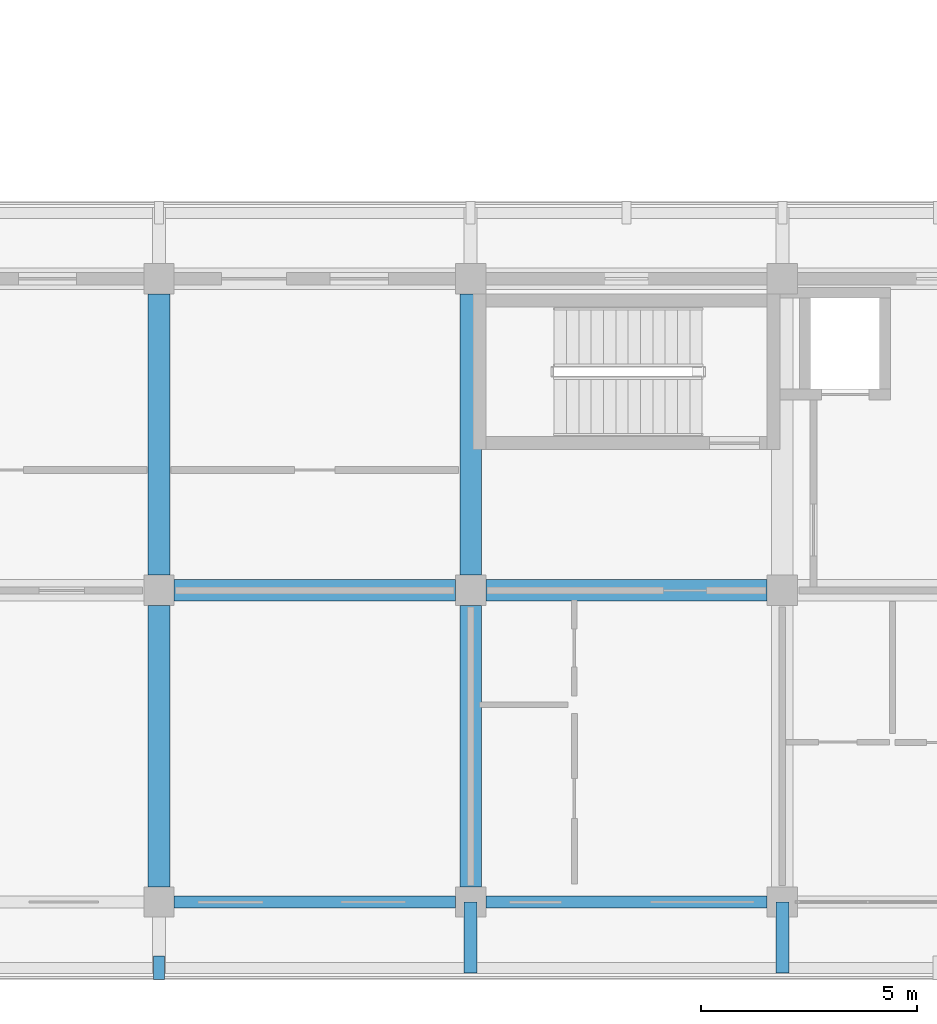
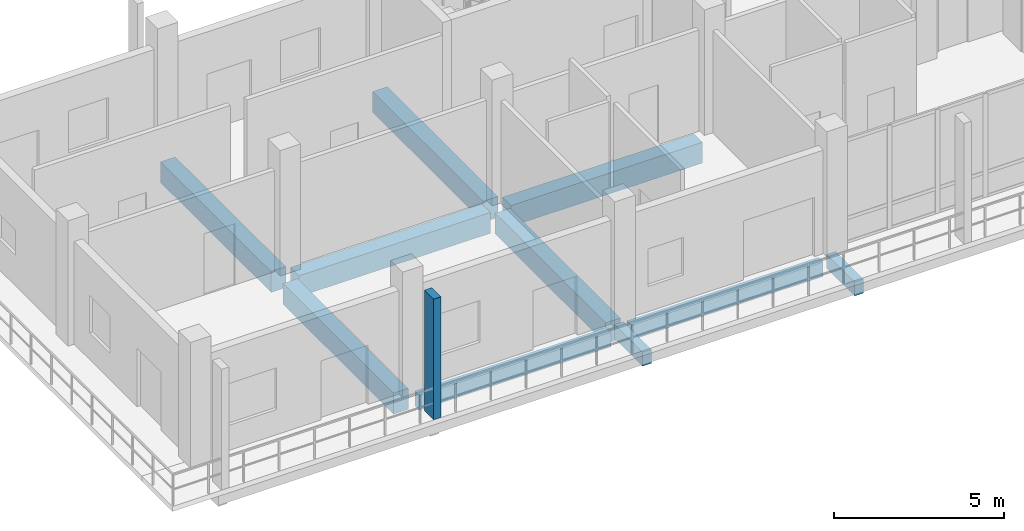
# One storey, part 45 of 110: 10 beams, 1 member.
"""IFC4 building model written with IfcOpenShell, lengths in metres."""

from ifc_helpers import new_model, si_unit, direction, frame, origin, origin_2d, place, context, subcontext, project, spatial, rectangle, extrude, material, material_profile, profile_set, type_object, element, save


model = new_model("IFC4")

# Units and contexts
model_context = context("Model", 3, precision=1e-05, world=origin(), true_north=direction((0.0, 1.0)))
body_context = subcontext(model_context, "Body", "Model", "MODEL_VIEW")
ifc_project = project(units=[si_unit("LENGTHUNIT", "METRE"), si_unit("AREAUNIT", "SQUARE_METRE"), si_unit("VOLUMEUNIT", "CUBIC_METRE"), si_unit("PLANEANGLEUNIT", "RADIAN"), si_unit("MASSUNIT", "GRAM", prefix="KILO")], contexts=[model_context])

# Site, building, storey
site_placement = place(None, origin())
site = spatial("IfcSite", under=ifc_project, at=site_placement, CompositionType="ELEMENT")
building_placement = place(site_placement, origin())
building = spatial("IfcBuilding", under=site, at=building_placement, Name="Suanplinth Sawtooth Commons", CompositionType="ELEMENT")
storey_placement = place(building_placement, frame((0.0, 0.0, 4.5)))
storey = spatial("IfcBuildingStorey", under=building, at=storey_placement, Name="L01", CompositionType="ELEMENT", Elevation=4.5)

# Beams
ifc_material_1 = material(Name="Concrete C40/50", Category="concrete")
ifc_material_profile_1 = material_profile(ifc_material_1, rectangle(XDim=0.5, YDim=0.75, at=origin_2d()), Name="RC-GDR 500x750")
ifc_profile_set_1 = profile_set([ifc_material_profile_1], Name="Concrete C40/50")
beam_type_1 = type_object("IfcBeamType", Name="B-03", PredefinedType="USERDEFINED", material=ifc_profile_set_1)
for number, where, z_axis, x_axis, name in (
    (1, (129.949951171875, 7.199951171875, -0.675048828125), (1.0, 0.0, 0.0), (0.0, 1.0, 0.0), "BMX-L01-C-18-1"),
    (2, (137.14990234375, 7.199951171875, -0.675048828125), (1.0, 0.0, 0.0), (0.0, 1.0, 0.0), "BMX-L01-C-19-1"),
    (3, (129.60009765625, 0.35009765625, -0.675048828125), (0.0, 1.0, 0.0), (-1.0, 0.0, 0.0), "BMY-L01-C-18-0"),
    (4, (129.60009765625, 7.550048828125, -0.675048828125), (0.0, 1.0, 0.0), (-1.0, 0.0, 0.0), "BMY-L01-C-18-1"),
    (5, (136.800048828125, 0.35009765625, -0.675048828125), (0.0, 1.0, 0.0), (-1.0, 0.0, 0.0), "BMY-L01-C-19-0"),
    (6, (136.800048828125, 7.550048828125, -0.675048828125), (0.0, 1.0, 0.0), (-1.0, 0.0, 0.0), "BMY-L01-C-19-1"),
):
    element("IfcBeam", number, at=place(storey_placement, frame(where, z_axis=z_axis, x_axis=x_axis)), inside=storey, type_object=beam_type_1, Name=name, ObjectType="GIRDER", PredefinedType="USERDEFINED", context=body_context, shape_type="SweptSolid", body=[
        extrude(rectangle(XDim=0.5, YDim=0.75, at=origin_2d()), origin(), (0.0, 0.0, 1.0), 6.5),
    ])
ifc_material_2 = material(Name="Precast concrete C40/50", Category="concrete")
ifc_material_profile_2 = material_profile(ifc_material_2, rectangle(XDim=0.300048828125, YDim=0.5, at=origin_2d()), Name="PC-BM 300x500")
ifc_profile_set_2 = profile_set([ifc_material_profile_2], Name="Precast concrete C40/50")
beam_type_2 = type_object("IfcBeamType", Name="B-07", PredefinedType="BEAM", material=ifc_profile_set_2)
for number, where, z_axis, x_axis, name in (
    (7, (136.800048828125, 0.0, -0.429931640625), (0.0, -1.0, 0.0), (1.0, 0.0, 0.0), "Balcony Outrigger L01-C-S-19"),
    (8, (144.0, 0.0, -0.429931640625), (0.0, -1.0, 0.0), (1.0, 0.0, 0.0), "Balcony Outrigger L01-C-S-20"),
):
    element("IfcBeam", number, at=place(storey_placement, frame(where, z_axis=z_axis, x_axis=x_axis)), inside=storey, type_object=beam_type_2, Name=name, PredefinedType="BEAM", context=body_context, shape_type="SweptSolid", body=[
        extrude(rectangle(XDim=0.300048828125, YDim=0.5, at=origin_2d()), origin(), (0.0, 0.0, 1.0), 1.639892578125),
    ])
ifc_material_profile_3 = material_profile(ifc_material_2, rectangle(XDim=0.280029296875, YDim=0.52001953125, at=origin_2d()), Name="PC-SP 280x520")
ifc_profile_set_3 = profile_set([ifc_material_profile_3], Name="Precast concrete C40/50")
beam_type_3 = type_object("IfcBeamType", Name="B-08", PredefinedType="SPANDREL", material=ifc_profile_set_3)
for number, where, z_axis, x_axis, name in (
    (9, (129.949951171875, 0.0, -0.56005859375), (1.0, 0.0, 0.0), (0.0, 1.0, 0.0), "BMX-L01-C-18-0"),
    (10, (137.14990234375, 0.0, -0.56005859375), (1.0, 0.0, 0.0), (0.0, 1.0, 0.0), "BMX-L01-C-19-0"),
):
    element("IfcBeam", number, at=place(storey_placement, frame(where, z_axis=z_axis, x_axis=x_axis)), inside=storey, type_object=beam_type_3, Name=name, PredefinedType="SPANDREL", context=body_context, shape_type="SweptSolid", body=[
        extrude(rectangle(XDim=0.280029296875, YDim=0.52001953125, at=origin_2d()), origin(), (0.0, 0.0, 1.0), 6.5),
    ])

# Member
ifc_material_3 = material(Name="Pigmented precast concrete C40/50", Category="concrete")
ifc_material_profile_4 = material_profile(ifc_material_3, rectangle(XDim=0.25, YDim=0.5400390625, at=origin_2d()), Name="PC-FIN 250x540")
ifc_profile_set_4 = profile_set([ifc_material_profile_4], Name="Pigmented precast concrete C40/50")
member_type = type_object("IfcMemberType", Name="M-11", PredefinedType="USERDEFINED", material=ifc_profile_set_4)
member_placement = place(storey_placement, frame((129.60009765625, -1.52001953125, 0.0), z_axis=(0.0, 0.0, 1.0), x_axis=(1.0, 0.0, 0.0)))
element("IfcMember", 11, at=member_placement, inside=storey, type_object=member_type, Name="Upright Solar Blade L01-C-S-02", ObjectType="SHADING FIN", PredefinedType="USERDEFINED", context=body_context, shape_type="SweptSolid", body=[
    extrude(rectangle(XDim=0.25, YDim=0.5400390625, at=origin_2d()), origin(), (0.0, 0.0, 1.0), 4.330078125),
])

save(model, "model.ifc")
